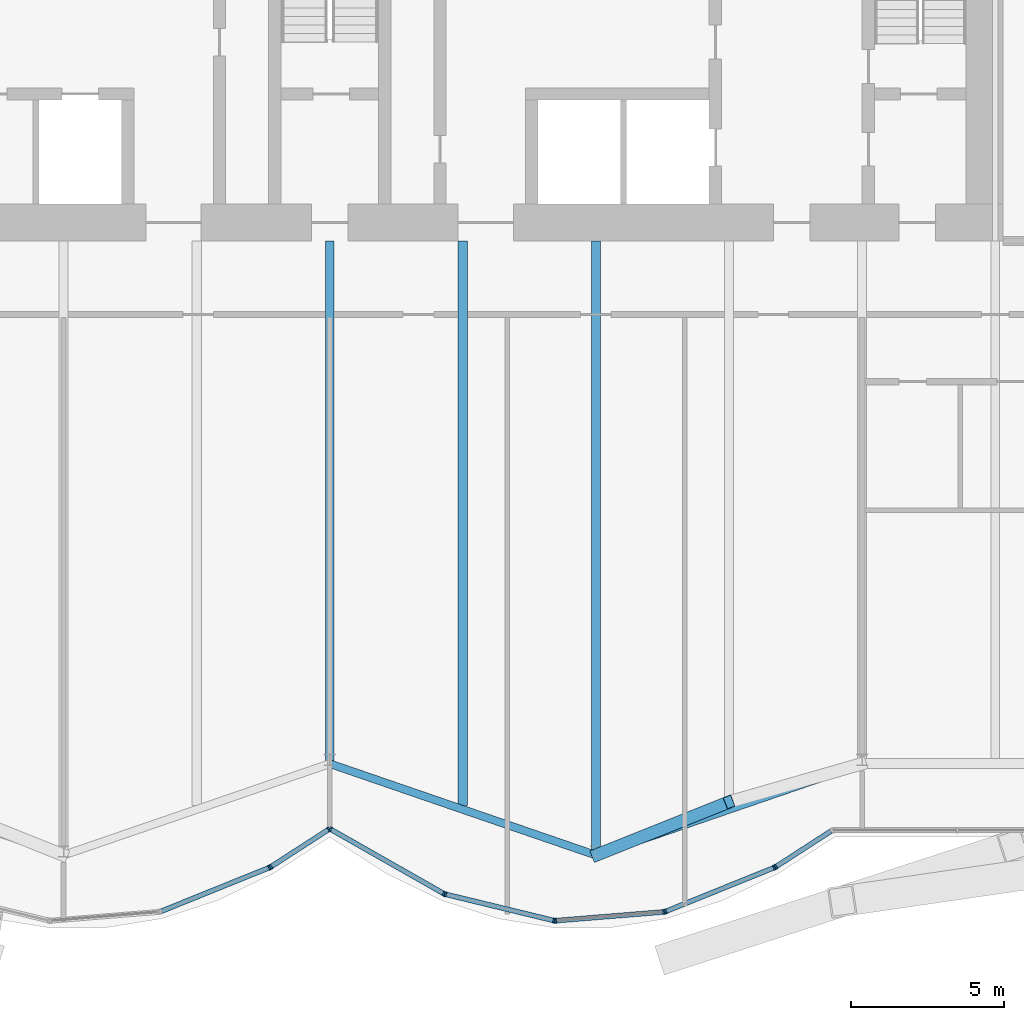
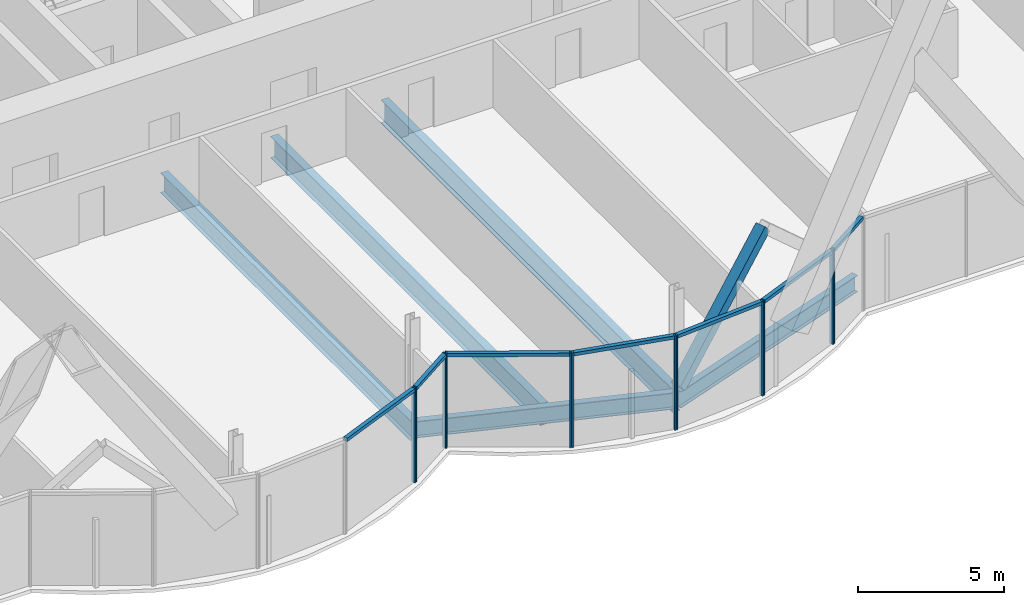
# One storey, part 9 of 22: 20 members, 5 beams, 2 elements without a shape of their own.
"""IFC4 building model written with IfcOpenShell, lengths in metres."""

import ifcopenshell
import ifcopenshell.guid

model = None  # the IFC model being written
_history = None  # IfcOwnerHistory: only IFC2X3 demands one
_inside = {}  # id of a spatial element -> (the spatial element, [elements in it])
_under = {}  # id of a project, library or spatial element -> (it, [spatial elements below it])
_declared = {}  # id of a project -> (the project, [libraries it declares])
_typed = {}  # id of a type object -> (the type object, [elements of that type])
_made_of = {}  # id of a material, layer set ... -> (it, [elements and type objects made of it])


def new_model(schema):
    """Start an empty IFC model of exactly this schema.

    Asked for "IFC4X3", IfcOpenShell would pick the latest addendum, in which some entities
    have other attributes; the version numbers below select the first issue.
    IFC2X3 requires an IfcOwnerHistory on every rooted entity: one is made here for all.
    """
    global model, _history
    if schema == "IFC4X3":
        model = ifcopenshell.file(schema_version=(4, 3, 0, 0))
    else:
        model = ifcopenshell.file(schema=schema)
    _inside.clear()
    _under.clear()
    _declared.clear()
    _typed.clear()
    _made_of.clear()
    _history = None
    if model.schema == "IFC2X3":
        org = make("IfcOrganization", Name="unknown")
        user = make(
            "IfcPersonAndOrganization",
            ThePerson=make("IfcPerson", FamilyName="unknown"),
            TheOrganization=org,
        )
        app = make(
            "IfcApplication",
            ApplicationDeveloper=org,
            Version="unknown",
            ApplicationFullName="unknown",
            ApplicationIdentifier="unknown",
        )
        _history = make(
            "IfcOwnerHistory",
            OwningUser=user,
            OwningApplication=app,
            ChangeAction="ADDED",
            CreationDate=0,
        )
    return model


def make(cls, **values):
    """One entity of the class cls with the attributes given. An attribute that is None is left unset."""
    return model.create_entity(
        cls, **{name: value for name, value in values.items() if value is not None}
    )


def rooted(cls, **values):
    """An entity with a GlobalId (a new one), such as an element, a storey or a relation."""
    return make(cls, GlobalId=ifcopenshell.guid.new(), OwnerHistory=_history, **values)


def si_unit(unit_type, name, prefix=None):
    """IfcSIUnit, for example si_unit("LENGTHUNIT", "METRE", prefix="MILLI")."""
    return make("IfcSIUnit", UnitType=unit_type, Prefix=prefix, Name=name)


def assignment(units):
    """IfcUnitAssignment: the units of a project."""
    return None if units is None else make("IfcUnitAssignment", Units=units)


def point(xyz):
    """IfcCartesianPoint."""
    return None if xyz is None else make("IfcCartesianPoint", Coordinates=xyz)


def direction(xyz):
    """IfcDirection."""
    return None if xyz is None else make("IfcDirection", DirectionRatios=xyz)


def frame(location, z_axis=None, x_axis=None):
    """IfcAxis2Placement3D, a coordinate frame: its origin and axes. An axis left out is left unset."""
    return make(
        "IfcAxis2Placement3D",
        Location=point(location),
        Axis=direction(z_axis),
        RefDirection=direction(x_axis),
    )


def frame_2d(location, x_axis=None):
    """IfcAxis2Placement2D, a coordinate frame in the plane: its origin and x axis."""
    return make(
        "IfcAxis2Placement2D", Location=point(location), RefDirection=direction(x_axis)
    )


def origin():
    """The frame at (0, 0, 0) with its axes left unset."""
    return frame((0.0, 0.0, 0.0))


def origin_2d():
    """The frame at (0, 0) in the plane with its x axis left unset."""
    return frame_2d((0.0, 0.0))


def place(relative_to, where):
    """IfcLocalPlacement: puts the frame where relative to a parent placement (None: the world)."""
    return make(
        "IfcLocalPlacement", PlacementRelTo=relative_to, RelativePlacement=where
    )


def context(
    kind, dimensions, precision=None, world=None, true_north=None, identifier=None
):
    """IfcGeometricRepresentationContext, for example the 3D "Model" context."""
    return make(
        "IfcGeometricRepresentationContext",
        ContextIdentifier=identifier,
        ContextType=kind,
        CoordinateSpaceDimension=dimensions,
        Precision=precision,
        WorldCoordinateSystem=world,
        TrueNorth=true_north,
    )


def subcontext(parent, identifier, kind, view, scale=None):
    """IfcGeometricRepresentationSubContext, for example "Body" below "Model"."""
    return make(
        "IfcGeometricRepresentationSubContext",
        ContextIdentifier=identifier,
        ContextType=kind,
        ParentContext=parent,
        TargetScale=scale,
        TargetView=view,
    )


def project(units=None, contexts=None):
    """IfcProject with its units and contexts."""
    return rooted(
        "IfcProject",
        Name="project",
        RepresentationContexts=contexts,
        UnitsInContext=assignment(units),
    )


def spatial(cls, under=None, at=None, **own):
    """A site, building, storey or space (cls), placed at a placement, below another one or the project."""
    s = rooted(cls, ObjectPlacement=at, **own)
    if under is not None:
        _under.setdefault(under.id(), (under, []))[1].append(s)
    return s


def profile(cls, at=None, kind="AREA", **sizes):
    """A parametric profile (cls). Its sizes go by their IFC names, for example OverallWidth=200.0."""
    return make(cls, ProfileType=kind, Position=at, **sizes)


def rectangle(**sizes):
    """IfcRectangleProfileDef."""
    return profile("IfcRectangleProfileDef", **sizes)


def hollow_rectangle(**sizes):
    """IfcRectangleHollowProfileDef."""
    return profile("IfcRectangleHollowProfileDef", **sizes)


def i_section(**sizes):
    """IfcIShapeProfileDef."""
    return profile("IfcIShapeProfileDef", **sizes)


def extrude(swept, where, along, depth):
    """IfcExtrudedAreaSolid: the profile swept, set in the frame where, extruded along a direction by depth."""
    return make(
        "IfcExtrudedAreaSolid",
        SweptArea=swept,
        Position=where,
        ExtrudedDirection=direction(along),
        Depth=depth,
    )


def shape(context_of_items, identifier, shape_type, items):
    """IfcShapeRepresentation: the items that make up one representation, for example the "Body"."""
    return make(
        "IfcShapeRepresentation",
        ContextOfItems=context_of_items,
        RepresentationIdentifier=identifier,
        RepresentationType=shape_type,
        Items=items,
    )


def material(Name=None, Category=None):
    """IfcMaterial."""
    return make("IfcMaterial", Name=Name, Category=Category)


def material_profile(
    of_material, cross_section, Name=None, Category=None, Priority=None
):
    """IfcMaterialProfile: a cross section and its material."""
    return make(
        "IfcMaterialProfile",
        Name=Name,
        Material=of_material,
        Profile=cross_section,
        Priority=Priority,
        Category=Category,
    )


def profile_set(profiles, Name=None, composite=None):
    """IfcMaterialProfileSet."""
    return make(
        "IfcMaterialProfileSet",
        Name=Name,
        MaterialProfiles=profiles,
        CompositeProfile=composite,
    )


def made_of(thing, what):
    """Note that an element or type object is made of a material, layer set ...; save() writes the relation."""
    if what is not None:
        _made_of.setdefault(what.id(), (what, []))[1].append(thing)
    return thing


def type_object(cls, material=None, **own):
    """A type object (cls), such as IfcWallType, which elements share."""
    return made_of(rooted(cls, **own), material)


def element(
    cls,
    number,
    at=None,
    inside=None,
    cuts=None,
    type_object=None,
    material=None,
    context=None,
    identifier="Body",
    shape_type=None,
    held_by="IfcProductDefinitionShape",
    body=None,
    shapes=None,
    **own,
):
    """One element of the class cls, such as IfcWall. Its Tag is "e" and its number.

    at: its placement. inside: the storey or other place that contains it. cuts: it is an
    opening in that element (IfcRelVoidsElement). A single representation is given by context,
    identifier, shape_type and body (its items); several are given by shapes. held_by: the class
    of the entity that holds the representations. save() writes the other relations.
    """
    e = rooted(cls, Tag="e%d" % number, ObjectPlacement=at, **own)
    if body is not None:
        shapes = [shape(context, identifier, shape_type, body)]
    if shapes is not None:
        e.Representation = make(held_by, Representations=shapes)
    if inside is not None:
        _inside.setdefault(inside.id(), (inside, []))[1].append(e)
    if cuts is not None:
        rooted(
            "IfcRelVoidsElement", RelatingBuildingElement=cuts, RelatedOpeningElement=e
        )
    if type_object is not None:
        _typed.setdefault(type_object.id(), (type_object, []))[1].append(e)
    return made_of(e, material)


def aggregate(whole, parts):
    """IfcRelAggregates: a whole, such as a stair, and the parts it consists of."""
    return rooted("IfcRelAggregates", RelatingObject=whole, RelatedObjects=parts)


def save(model, path):
    """Write the relations noted so far, then the file.

    IfcRelAggregates (storeys below a building ...), IfcRelContainedInSpatialStructure (elements
    in a storey), IfcRelDefinesByType, IfcRelAssociatesMaterial and IfcRelDeclares: one each for
    every whole, place, type object, material and project.
    """
    for whole, parts in _under.values():
        aggregate(whole, parts)
    for where, things in _inside.values():
        rooted(
            "IfcRelContainedInSpatialStructure",
            RelatedElements=things,
            RelatingStructure=where,
        )
    for kind, things in _typed.values():
        rooted("IfcRelDefinesByType", RelatedObjects=things, RelatingType=kind)
    for what, things in _made_of.values():
        rooted("IfcRelAssociatesMaterial", RelatedObjects=things, RelatingMaterial=what)
    for by, libraries in _declared.values():
        rooted("IfcRelDeclares", RelatingContext=by, RelatedDefinitions=libraries)
    model.write(path)


model = new_model("IFC4")

# Units and contexts
model_context = context("Model", 3, precision=1e-05, world=origin(), true_north=direction((0.0, 1.0)))
body_context = subcontext(model_context, "Body", "Model", "MODEL_VIEW")
ifc_project = project(units=[si_unit("LENGTHUNIT", "METRE"), si_unit("AREAUNIT", "SQUARE_METRE"), si_unit("VOLUMEUNIT", "CUBIC_METRE"), si_unit("PLANEANGLEUNIT", "RADIAN"), si_unit("MASSUNIT", "GRAM", prefix="KILO")], contexts=[model_context])

# Site, building, storey
site_placement = place(None, origin())
site = spatial("IfcSite", under=ifc_project, at=site_placement, CompositionType="ELEMENT")
building_placement = place(site_placement, origin())
building = spatial("IfcBuilding", under=site, at=building_placement, Name="Bicima Exchange Tower", CompositionType="ELEMENT")
storey_placement = place(building_placement, frame((0.0, 0.0, 203.199951171875)))
storey = spatial("IfcBuildingStorey", under=building, at=storey_placement, Name="L45", CompositionType="ELEMENT", Elevation=203.199951171875)

# Beams
ifc_material_1 = material(Name="Steel ASTM A992 Gr 50", Category="steel")
ifc_material_profile_1 = material_profile(ifc_material_1, i_section(OverallWidth=0.2919921875, OverallDepth=0.835693359375, WebThickness=0.013916015625, FlangeThickness=0.018798828125, at=origin_2d()))
ifc_profile_set_1 = profile_set([ifc_material_profile_1], Name="Steel ASTM A992 Gr 50")
beam_type_1 = type_object("IfcBeamType", Name="Floor beam W33x118", PredefinedType="JOIST", material=ifc_profile_set_1)
beam_1_placement = place(storey_placement, frame((0.0, -13.0, -0.56787109375), z_axis=(0.0, -1.0, 0.0), x_axis=(1.0, 0.0, 0.0)))
element("IfcBeam", 1, at=beam_1_placement, inside=storey, type_object=beam_type_1, Name="Floor beam", PredefinedType="JOIST", context=body_context, shape_type="SweptSolid", body=[
    extrude(i_section(OverallWidth=0.2919921875, OverallDepth=0.835693359375, WebThickness=0.013916015625, FlangeThickness=0.018798828125, at=origin_2d()), origin(), (0.0, 0.0, 1.0), 17.083984375),
])
ifc_material_profile_2 = material_profile(ifc_material_1, i_section(OverallWidth=0.3046875, OverallDepth=0.904296875, WebThickness=0.01513671875, FlangeThickness=0.02001953125, at=origin_2d()))
ifc_profile_set_2 = profile_set([ifc_material_profile_2], Name="Steel ASTM A992 Gr 50")
beam_type_2 = type_object("IfcBeamType", Name="Floor beam W36x135", PredefinedType="JOIST", material=ifc_profile_set_2)
beam_2_placement = place(storey_placement, frame((4.35009765625, -13.0, -0.60205078125), z_axis=(0.0, -1.0, 0.0), x_axis=(1.0, 0.0, 0.0)))
element("IfcBeam", 2, at=beam_2_placement, inside=storey, type_object=beam_type_2, Name="Floor beam", PredefinedType="JOIST", context=body_context, shape_type="SweptSolid", body=[
    extrude(i_section(OverallWidth=0.3046875, OverallDepth=0.904296875, WebThickness=0.01513671875, FlangeThickness=0.02001953125, at=origin_2d()), origin(), (0.0, 0.0, 1.0), 18.44384765625),
])
ifc_material_profile_3 = material_profile(ifc_material_1, i_section(OverallWidth=0.2998046875, OverallDepth=0.97021484375, WebThickness=0.01611328125, FlangeThickness=0.02099609375, at=origin_2d()))
ifc_profile_set_3 = profile_set([ifc_material_profile_3], Name="Steel ASTM A992 Gr 50")
beam_type_3 = type_object("IfcBeamType", Name="Floor beam W40x149", PredefinedType="JOIST", material=ifc_profile_set_3)
beam_3_placement = place(storey_placement, frame((8.699951171875, -13.0, -0.635009765625), z_axis=(0.0, -1.0, 0.0), x_axis=(1.0, 0.0, 0.0)))
element("IfcBeam", 3, at=beam_3_placement, inside=storey, type_object=beam_type_3, Name="Floor beam", PredefinedType="JOIST", context=body_context, shape_type="SweptSolid", body=[
    extrude(i_section(OverallWidth=0.2998046875, OverallDepth=0.97021484375, WebThickness=0.01611328125, FlangeThickness=0.02099609375, at=origin_2d()), origin(), (0.0, 0.0, 1.0), 19.939453125),
])
ifc_material_profile_4 = material_profile(ifc_material_1, i_section(OverallWidth=0.256591796875, OverallDepth=0.693359375, WebThickness=0.014404296875, FlangeThickness=0.023681640625, at=origin_2d()))
ifc_profile_set_4 = profile_set([ifc_material_profile_4], Name="Steel ASTM A992 Gr 50")
beam_type_4 = type_object("IfcBeamType", Name="Front girder W27x114", PredefinedType="BEAM", material=ifc_profile_set_4)
for number, where, z_axis, x_axis, name in (
    (4, (0.0, -30.083984375, -0.49658203125), (0.945666456746, -0.325138359143, 0.0), (0.325138359143, 0.945666456746, 0.0), "Front girder"),
    (5, (8.699951171875, -33.0751953125, -0.49658203125), (0.945666456746, 0.325138359143, 0.0), (-0.325138359143, 0.945666456746, 0.0), "Front girder"),
):
    element("IfcBeam", number, at=place(storey_placement, frame(where, z_axis=z_axis, x_axis=x_axis)), inside=storey, type_object=beam_type_4, Name=name, PredefinedType="BEAM", context=body_context, shape_type="SweptSolid", body=[
        extrude(i_section(OverallWidth=0.256591796875, OverallDepth=0.693359375, WebThickness=0.014404296875, FlangeThickness=0.023681640625, at=origin_2d()), origin(), (0.0, 0.0, 1.0), 9.19970703125),
    ])

# Curtain wall, members
ifc_material_2 = material(Name="Anodised bronze aluminium", Category="aluminium")
curtain_wall_type = type_object("IfcCurtainWallType", Name="Front glass wall", PredefinedType="NOTDEFINED", material=ifc_material_2)
curtain_wall_1_placement = place(storey_placement, origin())
curtain_wall_1 = element("IfcCurtainWall", 6, at=curtain_wall_1_placement, inside=storey, type_object=curtain_wall_type, Name="Front glass wall L45 run 6", PredefinedType="NOTDEFINED")
ifc_material_profile_5 = material_profile(ifc_material_2, rectangle(XDim=0.159912109375, YDim=0.06005859375, at=origin_2d()))
ifc_profile_set_5 = profile_set([ifc_material_profile_5], Name="Anodised bronze aluminium")
member_type_1 = type_object("IfcMemberType", Name="Front glass wall mullion 60 x 160", PredefinedType="MULLION", material=ifc_profile_set_5)
member_1_placement = place(storey_placement, frame((-1.97412109375, -33.4794921875, 0.0), z_axis=(0.0, 0.0, 1.0), x_axis=(-0.374705304, 0.92714396679, 0.0)))
member_1 = element("IfcMember", 7, at=member_1_placement, type_object=member_type_1, Name="Front glass wall mullion 2", PredefinedType="MULLION", context=body_context, shape_type="SweptSolid", body=[
    extrude(rectangle(XDim=0.159912109375, YDim=0.06005859375, at=origin_2d()), origin(), (0.0, 0.0, 1.0), 3.949951171875),
])
member_2_placement = place(storey_placement, frame((-1.921142578125, -33.4521484375, 0.0), z_axis=(0.0, 0.0, 1.0), x_axis=(-0.542897457326, 0.839798994301, 0.0)))
member_2 = element("IfcMember", 8, at=member_2_placement, type_object=member_type_1, Name="Front glass wall mullion 1", PredefinedType="MULLION", context=body_context, shape_type="SweptSolid", body=[
    extrude(rectangle(XDim=0.159912109375, YDim=0.06005859375, at=origin_2d()), origin(), (0.0, 0.0, 1.0), 3.949951171875),
])
member_3_placement = place(storey_placement, frame((-0.025146484375, -32.226318359375, 0.0), z_axis=(0.0, 0.0, 1.0), x_axis=(-0.542897457326, 0.839798994301, 0.0)))
member_3 = element("IfcMember", 9, at=member_3_placement, type_object=member_type_1, Name="Front glass wall mullion 2", PredefinedType="MULLION", context=body_context, shape_type="SweptSolid", body=[
    extrude(rectangle(XDim=0.159912109375, YDim=0.06005859375, at=origin_2d()), origin(), (0.0, 0.0, 1.0), 3.949951171875),
])

curtain_wall_2_placement = place(storey_placement, origin())
curtain_wall_2 = element("IfcCurtainWall", 10, at=curtain_wall_2_placement, inside=storey, type_object=curtain_wall_type, Name="Front glass wall L45 run 11", PredefinedType="NOTDEFINED")
member_4_placement = place(storey_placement, frame((0.026123046875, -32.22509765625, 0.0), z_axis=(0.0, 0.0, 1.0), x_axis=(0.494330311331, 0.869274147378, 0.0)))
member_4 = element("IfcMember", 11, at=member_4_placement, type_object=member_type_1, Name="Front glass wall mullion 1", PredefinedType="MULLION", context=body_context, shape_type="SweptSolid", body=[
    extrude(rectangle(XDim=0.159912109375, YDim=0.06005859375, at=origin_2d()), origin(), (0.0, 0.0, 1.0), 3.949951171875),
])
member_5_placement = place(storey_placement, frame((3.7265625, -34.329345703125, 0.0), z_axis=(0.0, 0.0, 1.0), x_axis=(0.494330311331, 0.869274147378, 0.0)))
member_5 = element("IfcMember", 12, at=member_5_placement, type_object=member_type_1, Name="Front glass wall mullion 2", PredefinedType="MULLION", context=body_context, shape_type="SweptSolid", body=[
    extrude(rectangle(XDim=0.159912109375, YDim=0.06005859375, at=origin_2d()), origin(), (0.0, 0.0, 1.0), 3.949951171875),
])
member_6_placement = place(storey_placement, frame((3.781982421875, -34.351318359375, 0.0), z_axis=(0.0, 0.0, 1.0), x_axis=(0.235681529503, 0.971830343553, 0.0)))
member_6 = element("IfcMember", 13, at=member_6_placement, type_object=member_type_1, Name="Front glass wall mullion 1", PredefinedType="MULLION", context=body_context, shape_type="SweptSolid", body=[
    extrude(rectangle(XDim=0.159912109375, YDim=0.06005859375, at=origin_2d()), origin(), (0.0, 0.0, 1.0), 3.949951171875),
])
member_7_placement = place(storey_placement, frame((7.322509765625, -35.2099609375, 0.0), z_axis=(0.0, 0.0, 1.0), x_axis=(0.235681529503, 0.971830343553, 0.0)))
member_7 = element("IfcMember", 14, at=member_7_placement, type_object=member_type_1, Name="Front glass wall mullion 2", PredefinedType="MULLION", context=body_context, shape_type="SweptSolid", body=[
    extrude(rectangle(XDim=0.159912109375, YDim=0.06005859375, at=origin_2d()), origin(), (0.0, 0.0, 1.0), 3.949951171875),
])
member_8_placement = place(storey_placement, frame((7.381591796875, -35.214599609375, 0.0), z_axis=(0.0, 0.0, 1.0), x_axis=(-0.080588612633, 0.99674744821, 0.0)))
member_8 = element("IfcMember", 15, at=member_8_placement, type_object=member_type_1, Name="Front glass wall mullion 1", PredefinedType="MULLION", context=body_context, shape_type="SweptSolid", body=[
    extrude(rectangle(XDim=0.159912109375, YDim=0.06005859375, at=origin_2d()), origin(), (0.0, 0.0, 1.0), 3.949951171875),
])
member_9_placement = place(storey_placement, frame((10.916015625, -34.9287109375, 0.0), z_axis=(0.0, 0.0, 1.0), x_axis=(-0.080588612633, 0.99674744821, 0.0)))
member_9 = element("IfcMember", 16, at=member_9_placement, type_object=member_type_1, Name="Front glass wall mullion 2", PredefinedType="MULLION", context=body_context, shape_type="SweptSolid", body=[
    extrude(rectangle(XDim=0.159912109375, YDim=0.06005859375, at=origin_2d()), origin(), (0.0, 0.0, 1.0), 3.949951171875),
])
member_10_placement = place(storey_placement, frame((10.973876953125, -34.915283203125, 0.0), z_axis=(0.0, 0.0, 1.0), x_axis=(-0.374705304, 0.92714396679, 0.0)))
member_10 = element("IfcMember", 17, at=member_10_placement, type_object=member_type_1, Name="Front glass wall mullion 1", PredefinedType="MULLION", context=body_context, shape_type="SweptSolid", body=[
    extrude(rectangle(XDim=0.159912109375, YDim=0.06005859375, at=origin_2d()), origin(), (0.0, 0.0, 1.0), 3.949951171875),
])
member_11_placement = place(storey_placement, frame((14.52587890625, -33.4794921875, 0.0), z_axis=(0.0, 0.0, 1.0), x_axis=(-0.374705304, 0.92714396679, 0.0)))
member_11 = element("IfcMember", 18, at=member_11_placement, type_object=member_type_1, Name="Front glass wall mullion 2", PredefinedType="MULLION", context=body_context, shape_type="SweptSolid", body=[
    extrude(rectangle(XDim=0.159912109375, YDim=0.06005859375, at=origin_2d()), origin(), (0.0, 0.0, 1.0), 3.949951171875),
])
member_12_placement = place(storey_placement, frame((14.578857421875, -33.4521484375, 0.0), z_axis=(0.0, 0.0, 1.0), x_axis=(-0.542909183079, 0.839791413941, 0.0)))
member_12 = element("IfcMember", 19, at=member_12_placement, type_object=member_type_1, Name="Front glass wall mullion 1", PredefinedType="MULLION", context=body_context, shape_type="SweptSolid", body=[
    extrude(rectangle(XDim=0.159912109375, YDim=0.06005859375, at=origin_2d()), origin(), (0.0, 0.0, 1.0), 3.949951171875),
])

# Member
ifc_material_profile_6 = material_profile(ifc_material_2, rectangle(XDim=0.159912109375, YDim=0.139892578125, at=origin_2d()))
ifc_profile_set_6 = profile_set([ifc_material_profile_6], Name="Anodised bronze aluminium")
member_type_2 = type_object("IfcMemberType", Name="Front glass wall transom 140 x 160", PredefinedType="USERDEFINED", material=ifc_profile_set_6)
member_13_placement = place(storey_placement, frame((-5.498291015625, -34.90380859375, 3.880126953125), z_axis=(0.927140215882, 0.374714584842, 0.0), x_axis=(-0.374714584842, 0.927140215882, 0.0)))
member_13 = element("IfcMember", 20, at=member_13_placement, type_object=member_type_2, Name="Front glass wall transom 1.1", ObjectType="TRANSOM", PredefinedType="USERDEFINED", context=body_context, shape_type="SweptSolid", body=[
    extrude(rectangle(XDim=0.159912109375, YDim=0.139892578125, at=origin_2d()), origin(), (0.0, 0.0, 1.0), 3.77099609375),
])

member_14_placement = place(storey_placement, frame((-1.89599609375, -33.435791015625, 3.880126953125), z_axis=(0.839811483481, 0.542878137536, 0.0), x_axis=(-0.542878137536, 0.839811483481, 0.0)))
member_14 = element("IfcMember", 21, at=member_14_placement, type_object=member_type_2, Name="Front glass wall transom 1.1", ObjectType="TRANSOM", PredefinedType="USERDEFINED", context=body_context, shape_type="SweptSolid", body=[
    extrude(rectangle(XDim=0.159912109375, YDim=0.139892578125, at=origin_2d()), origin(), (0.0, 0.0, 1.0), 2.19775390625),
])

aggregate(curtain_wall_1, [member_1, member_13, member_2, member_3, member_14])

member_15_placement = place(storey_placement, frame((0.05224609375, -32.23974609375, 3.880126953125), z_axis=(0.869265121745, -0.494346182466, 0.0), x_axis=(0.494346182466, 0.869265121745, 0.0)))
member_15 = element("IfcMember", 22, at=member_15_placement, type_object=member_type_2, Name="Front glass wall transom 1.1", ObjectType="TRANSOM", PredefinedType="USERDEFINED", context=body_context, shape_type="SweptSolid", body=[
    extrude(rectangle(XDim=0.159912109375, YDim=0.139892578125, at=origin_2d()), origin(), (0.0, 0.0, 1.0), 4.19677734375),
])

member_16_placement = place(storey_placement, frame((3.81103515625, -34.3583984375, 3.880126953125), z_axis=(0.971833557815, -0.235668275132, 0.0), x_axis=(0.235668275132, 0.971833557815, 0.0)))
member_16 = element("IfcMember", 23, at=member_16_placement, type_object=member_type_2, Name="Front glass wall transom 1.1", ObjectType="TRANSOM", PredefinedType="USERDEFINED", context=body_context, shape_type="SweptSolid", body=[
    extrude(rectangle(XDim=0.159912109375, YDim=0.139892578125, at=origin_2d()), origin(), (0.0, 0.0, 1.0), 3.583251953125),
])

member_17_placement = place(storey_placement, frame((7.41162109375, -35.212158203125, 3.880126953125), z_axis=(0.9967456465, 0.080610893699, 0.0), x_axis=(-0.080610893699, 0.9967456465, 0.0)))
member_17 = element("IfcMember", 24, at=member_17_placement, type_object=member_type_2, Name="Front glass wall transom 1.1", ObjectType="TRANSOM", PredefinedType="USERDEFINED", context=body_context, shape_type="SweptSolid", body=[
    extrude(rectangle(XDim=0.159912109375, YDim=0.139892578125, at=origin_2d()), origin(), (0.0, 0.0, 1.0), 3.48583984375),
])

member_18_placement = place(storey_placement, frame((11.001708984375, -34.90380859375, 3.880126953125), z_axis=(0.927140215882, 0.374714584842, 0.0), x_axis=(-0.374714584842, 0.927140215882, 0.0)))
member_18 = element("IfcMember", 25, at=member_18_placement, type_object=member_type_2, Name="Front glass wall transom 1.1", ObjectType="TRANSOM", PredefinedType="USERDEFINED", context=body_context, shape_type="SweptSolid", body=[
    extrude(rectangle(XDim=0.159912109375, YDim=0.139892578125, at=origin_2d()), origin(), (0.0, 0.0, 1.0), 3.77099609375),
])

member_19_placement = place(storey_placement, frame((14.60400390625, -33.435791015625, 3.880126953125), z_axis=(0.839792890287, 0.542906899407, 0.0), x_axis=(-0.542906899407, 0.839792890287, 0.0)))
member_19 = element("IfcMember", 26, at=member_19_placement, type_object=member_type_2, Name="Front glass wall transom 1.1", ObjectType="TRANSOM", PredefinedType="USERDEFINED", context=body_context, shape_type="SweptSolid", body=[
    extrude(rectangle(XDim=0.159912109375, YDim=0.139892578125, at=origin_2d()), origin(), (0.0, 0.0, 1.0), 2.11669921875),
])

aggregate(curtain_wall_2, [member_4, member_5, member_15, member_6, member_7, member_16, member_8, member_9, member_17, member_10, member_11, member_18, member_12, member_19])

ifc_material_3 = material(Name="Steel ASTM A572 Gr 50", Category="steel")
ifc_material_profile_7 = material_profile(ifc_material_3, hollow_rectangle(XDim=0.406494140625, YDim=0.406494140625, WallThickness=0.0146484375, at=origin_2d()))
ifc_profile_set_7 = profile_set([ifc_material_profile_7], Name="Steel ASTM A572 Gr 50")
member_type_3 = type_object("IfcMemberType", Name="Mega brace HSS16x16x5/8", PredefinedType="BRACE", material=ifc_profile_set_7)
member_20_placement = place(storey_placement, frame((8.699951171875, -33.0751953125, 0.0), z_axis=(0.698718538106, 0.279440358208, 0.65856320176), x_axis=(-0.3713367687, 0.928498252132, 0.0)))
element("IfcMember", 27, at=member_20_placement, inside=storey, type_object=member_type_3, Name="Mega brace front", PredefinedType="BRACE", context=body_context, shape_type="SweptSolid", body=[
    extrude(hollow_rectangle(XDim=0.406494140625, YDim=0.406494140625, WallThickness=0.0146484375, at=origin_2d()), origin(), (0.0, 0.0, 1.0), 6.225830078125),
])

save(model, "model.ifc")
